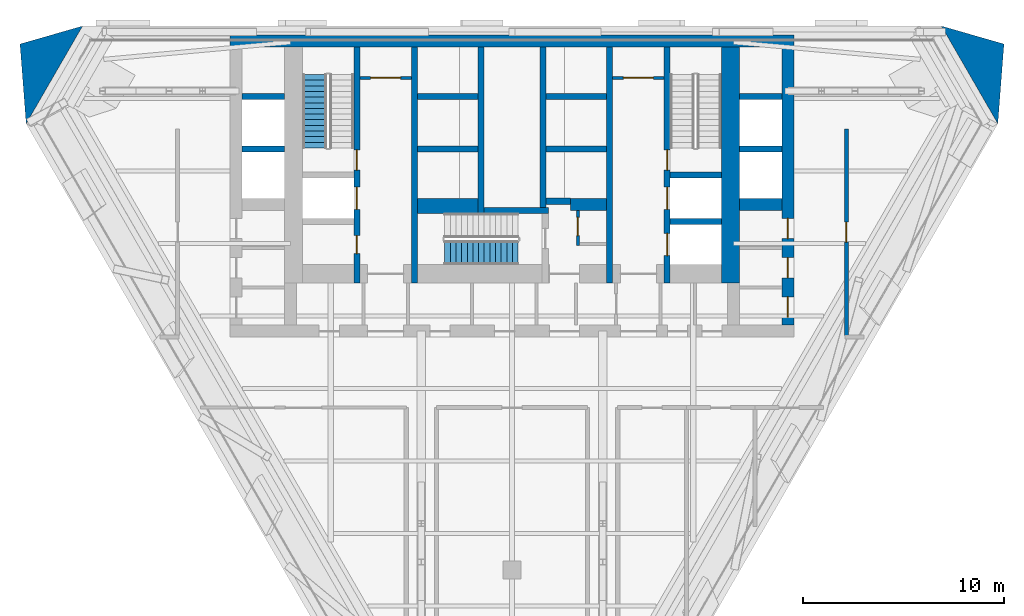
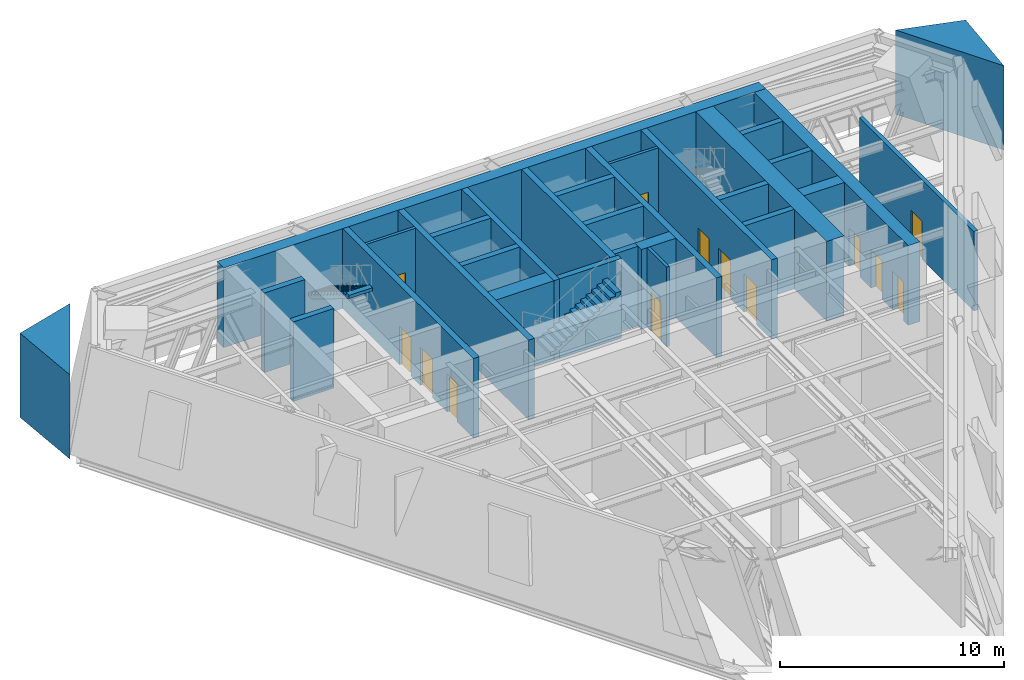
# One storey, part 5 of 12: 30 walls, 13 doors, 2 stair flights, 13 openings, 2 elements without a shape of their own.
"""IFC4 building model written with IfcOpenShell, lengths in metres."""

from ifc_helpers import new_model, si_unit, direction, frame, frame_2d, origin, place, context, subcontext, project, spatial, polyline, rectangle, outline, extrude, material, layer, layer_set, type_object, element, fill, aggregate, save


model = new_model("IFC4")

# Units and contexts
model_context = context("Model", 3, precision=1e-05, world=origin(), true_north=direction((0.0, 1.0)))
body_context = subcontext(model_context, "Body", "Model", "MODEL_VIEW")
ifc_project = project(units=[si_unit("LENGTHUNIT", "METRE"), si_unit("AREAUNIT", "SQUARE_METRE"), si_unit("VOLUMEUNIT", "CUBIC_METRE"), si_unit("PLANEANGLEUNIT", "RADIAN"), si_unit("MASSUNIT", "GRAM", prefix="KILO")], contexts=[model_context])

# Site, building, storey
site_placement = place(None, origin())
site = spatial("IfcSite", under=ifc_project, at=site_placement, CompositionType="ELEMENT")
building_placement = place(site_placement, origin())
building = spatial("IfcBuilding", under=site, at=building_placement, Name="Aloe Facet Convention Tower", CompositionType="ELEMENT")
storey_placement = place(building_placement, frame((0.0, 0.0, 123.800048828125)))
storey = spatial("IfcBuildingStorey", under=building, at=storey_placement, Name="L31", CompositionType="ELEMENT", Elevation=123.800048828125)

# Wall, opening, door
ifc_material_1 = material(Name="Concrete blockwork partition", Category="masonry")
ifc_layer_1 = layer(ifc_material_1, 0.14990234375)
ifc_layer_set_1 = layer_set([ifc_layer_1], Name="CR-W-PART150")
wall_type_1 = type_object("IfcWallType", Name="CR-W-PART150", PredefinedType="PARTITIONING", material=ifc_layer_set_1)
wall_1_placement = place(storey_placement, frame((72.449951171875, 132.425048828125, 0.0), z_axis=(0.0, 0.0, 1.0), x_axis=(1.0, 0.0, 0.0)))
wall_1 = element("IfcWall", 1, at=wall_1_placement, inside=storey, type_object=wall_type_1, Name="Core partition L31-015", PredefinedType="PARTITIONING", context=body_context, shape_type="SweptSolid", body=[
    extrude(rectangle(XDim=2.550048828125, YDim=0.14990234375, at=frame_2d((1.27490234375, 0.0))), origin(), (0.0, 0.0, 1.0), 4.349853515625),
])
opening_1_placement = place(wall_1_placement, frame((0.52490234375, 0.0, 0.0)))
opening_1 = element("IfcOpeningElement", 2, at=opening_1_placement, cuts=wall_1, Name="Opening L31-CD14", PredefinedType="OPENING", context=body_context, shape_type="SweptSolid", body=[
    extrude(rectangle(XDim=1.5, YDim=2.10009765625, at=frame_2d((0.75, 1.050048828125))), frame((0.0, 0.0849609375, 0.0), z_axis=(0.0, -1.0, 0.0), x_axis=(1.0, 0.0, 0.0)), (0.0, 0.0, 1.0), 0.169921875),
])
ifc_material_2 = material(Name="Steel fire-resisting door set FD60", Category="steel")
door_type_1 = type_object("IfcDoorType", Name="CR-D-REFUGE-1500-FD60-DD", OperationType="DOUBLE_DOOR_DOUBLE_SWING", PredefinedType="DOOR", material=ifc_material_2)
door_1_placement = place(opening_1_placement, origin())
door_1 = element("IfcDoor", 3, at=door_1_placement, inside=storey, type_object=door_type_1, Name="Core door L31-CD14", OperationType="DOUBLE_DOOR_DOUBLE_SWING", OverallHeight=2.10009765625, OverallWidth=1.5, PredefinedType="DOOR", context=body_context, shape_type="SweptSolid", body=[
    extrude(rectangle(XDim=1.5, YDim=2.10009765625, at=frame_2d((0.75, 1.050048828125))), frame((0.0, 0.02490234375, 0.0), z_axis=(0.0, -1.0, 0.0), x_axis=(1.0, 0.0, 0.0)), (0.0, 0.0, 1.0), 0.050048828125),
])
fill(opening_1, door_1)

wall_2_placement = place(storey_placement, frame((83.27490234375, 125.85009765625, 0.0), z_axis=(0.0, 0.0, 1.0), x_axis=(0.0, -1.0, 0.0)))
wall_2 = element("IfcWall", 4, at=wall_2_placement, inside=storey, type_object=wall_type_1, Name="Core partition L31-036", PredefinedType="PARTITIONING", context=body_context, shape_type="SweptSolid", body=[
    extrude(rectangle(XDim=1.75, YDim=0.14990234375, at=frame_2d((0.875, 0.0))), origin(), (0.0, 0.0, 1.0), 4.349853515625),
])
opening_2_placement = place(wall_2_placement, frame((0.35009765625, 0.0, 0.0)))
opening_2 = element("IfcOpeningElement", 5, at=opening_2_placement, cuts=wall_2, Name="Opening L31-CD12", PredefinedType="OPENING", context=body_context, shape_type="SweptSolid", body=[
    extrude(rectangle(XDim=0.89990234375, YDim=2.10009765625, at=frame_2d((0.449951171875, 1.050048828125))), frame((0.0, 0.0849609375, 0.0), z_axis=(0.0, -1.0, 0.0), x_axis=(1.0, 0.0, 0.0)), (0.0, 0.0, 1.0), 0.169921875),
])
ifc_material_3 = material(Name="Steel fire-resisting door set FD60", Category="steel")
door_type_2 = type_object("IfcDoorType", Name="CR-D-REFUGE-900-FD60-SRIGHT", OperationType="SINGLE_SWING_RIGHT", PredefinedType="DOOR", material=ifc_material_3)
door_2_placement = place(opening_2_placement, origin())
door_2 = element("IfcDoor", 6, at=door_2_placement, inside=storey, type_object=door_type_2, Name="Core door L31-CD12", OperationType="SINGLE_SWING_RIGHT", OverallHeight=2.10009765625, OverallWidth=0.89990234375, PredefinedType="DOOR", context=body_context, shape_type="SweptSolid", body=[
    extrude(rectangle(XDim=0.89990234375, YDim=2.10009765625, at=frame_2d((0.449951171875, 1.050048828125))), frame((0.0, 0.02490234375, 0.0), z_axis=(0.0, -1.0, 0.0), x_axis=(1.0, 0.0, 0.0)), (0.0, 0.0, 1.0), 0.050048828125),
])
fill(opening_2, door_2)

wall_3_placement = place(storey_placement, frame((85.0, 132.425048828125, 0.0), z_axis=(0.0, 0.0, 1.0), x_axis=(1.0, 0.0, 0.0)))
wall_3 = element("IfcWall", 7, at=wall_3_placement, inside=storey, type_object=wall_type_1, Name="Core partition L31-039", PredefinedType="PARTITIONING", context=body_context, shape_type="SweptSolid", body=[
    extrude(rectangle(XDim=2.550048828125, YDim=0.14990234375, at=frame_2d((1.27490234375, 0.0))), origin(), (0.0, 0.0, 1.0), 4.349853515625),
])
opening_3_placement = place(wall_3_placement, frame((0.52490234375, 0.0, 0.0)))
opening_3 = element("IfcOpeningElement", 8, at=opening_3_placement, cuts=wall_3, Name="Opening L31-CD13", PredefinedType="OPENING", context=body_context, shape_type="SweptSolid", body=[
    extrude(rectangle(XDim=1.5, YDim=2.10009765625, at=frame_2d((0.75, 1.050048828125))), frame((0.0, 0.0849609375, 0.0), z_axis=(0.0, -1.0, 0.0), x_axis=(1.0, 0.0, 0.0)), (0.0, 0.0, 1.0), 0.169921875),
])
door_3_placement = place(opening_3_placement, origin())
door_3 = element("IfcDoor", 9, at=door_3_placement, inside=storey, type_object=door_type_1, Name="Core door L31-CD13", OperationType="DOUBLE_DOOR_DOUBLE_SWING", OverallHeight=2.10009765625, OverallWidth=1.5, PredefinedType="DOOR", context=body_context, shape_type="SweptSolid", body=[
    extrude(rectangle(XDim=1.5, YDim=2.10009765625, at=frame_2d((0.75, 1.050048828125))), frame((0.0, 0.02490234375, 0.0), z_axis=(0.0, -1.0, 0.0), x_axis=(1.0, 0.0, 0.0)), (0.0, 0.0, 1.0), 0.050048828125),
])
fill(opening_3, door_3)

# Walls
ifc_material_4 = material(Name="Concrete C70/85", Category="concrete")
ifc_layer_2 = layer(ifc_material_4, 0.300048828125)
ifc_layer_set_2 = layer_set([ifc_layer_2], Name="CR-W-RC300-C7085")
wall_type_2 = type_object("IfcWallType", Name="CR-W-RC300-C7085", PredefinedType="SOLIDWALL", material=ifc_layer_set_2)
for number, where, z_axis, x_axis, name in (
    (10, (66.60009765625, 131.5, 0.0), (0.0, 0.0, 1.0), (1.0, 0.0, 0.0), "Core wall L31-004"),
    (11, (66.60009765625, 128.89990234375, 0.0), (0.0, 0.0, 1.0), (1.0, 0.0, 0.0), "Core wall L31-005"),
):
    element("IfcWall", number, at=place(storey_placement, frame(where, z_axis=z_axis, x_axis=x_axis)), inside=storey, type_object=wall_type_2, Name=name, PredefinedType="SOLIDWALL", context=body_context, shape_type="SweptSolid", body=[
        extrude(rectangle(XDim=2.099853515625, YDim=0.300048828125, at=frame_2d((1.0498046875, 0.0))), origin(), (0.0, 0.0, 1.0), 4.349853515625),
    ])

# Wall, openings, doors
wall_4_placement = place(storey_placement, frame((72.300048828125, 133.949951171875, 0.0), z_axis=(0.0, 0.0, 1.0), x_axis=(0.0, -1.0, 0.0)))
wall_4 = element("IfcWall", 12, at=wall_4_placement, inside=storey, type_object=wall_type_2, Name="Core wall L31-014", PredefinedType="SOLIDWALL", context=body_context, shape_type="SweptSolid", body=[
    extrude(rectangle(XDim=11.699951171875, YDim=0.300048828125, at=frame_2d((5.85009765625, 0.0))), origin(), (0.0, 0.0, 1.0), 4.349853515625),
])
opening_4_placement = place(wall_4_placement, frame((6.949951171875, 0.0, 0.0)))
opening_4 = element("IfcOpeningElement", 13, at=opening_4_placement, cuts=wall_4, Name="Opening LD-FF1-L31", PredefinedType="OPENING", context=body_context, shape_type="SweptSolid", body=[
    extrude(rectangle(XDim=1.10009765625, YDim=2.10009765625, at=frame_2d((0.550048828125, 1.050048828125))), frame((0.0, 0.16015625, 0.0), z_axis=(0.0, -1.0, 0.0), x_axis=(1.0, 0.0, 0.0)), (0.0, 0.0, 1.0), 0.320068359375),
])
opening_5_placement = place(wall_4_placement, frame((9.35009765625, 0.0, 0.0)))
opening_5 = element("IfcOpeningElement", 14, at=opening_5_placement, cuts=wall_4, Name="Opening L31-CD15", PredefinedType="OPENING", context=body_context, shape_type="SweptSolid", body=[
    extrude(rectangle(XDim=0.89990234375, YDim=2.10009765625, at=frame_2d((0.449951171875, 1.050048828125))), frame((0.0, 0.16015625, 0.0), z_axis=(0.0, -1.0, 0.0), x_axis=(1.0, 0.0, 0.0)), (0.0, 0.0, 1.0), 0.320068359375),
])
opening_6_placement = place(wall_4_placement, frame((5.10009765625, 0.0, 0.0)))
opening_6 = element("IfcOpeningElement", 15, at=opening_6_placement, cuts=wall_4, Name="Opening L31-CD22", PredefinedType="OPENING", context=body_context, shape_type="SweptSolid", body=[
    extrude(rectangle(XDim=1.0, YDim=2.10009765625, at=frame_2d((0.5, 1.050048828125))), frame((0.0, 0.16015625, 0.0), z_axis=(0.0, -1.0, 0.0), x_axis=(1.0, 0.0, 0.0)), (0.0, 0.0, 1.0), 0.320068359375),
])
ifc_material_5 = material(Name="Steel fire-resisting door set FD60", Category="steel")
door_type_3 = type_object("IfcDoorType", Name="CR-D-ROOM-900-FD60-SLEFT", OperationType="SINGLE_SWING_LEFT", PredefinedType="DOOR", material=ifc_material_5)
door_4_placement = place(opening_5_placement, origin())
door_4 = element("IfcDoor", 16, at=door_4_placement, inside=storey, type_object=door_type_3, Name="Core door L31-CD15", OperationType="SINGLE_SWING_LEFT", OverallHeight=2.10009765625, OverallWidth=0.89990234375, PredefinedType="DOOR", context=body_context, shape_type="SweptSolid", body=[
    extrude(rectangle(XDim=0.89990234375, YDim=2.10009765625, at=frame_2d((0.449951171875, 1.050048828125))), frame((0.0, 0.02490234375, 0.0), z_axis=(0.0, -1.0, 0.0), x_axis=(1.0, 0.0, 0.0)), (0.0, 0.0, 1.0), 0.050048828125),
])
fill(opening_5, door_4)
ifc_material_6 = material(Name="Steel fire-resisting door set FD120", Category="steel")
door_type_4 = type_object("IfcDoorType", Name="CR-D-STAIR-1000-FD120-SRIGHT", OperationType="SINGLE_SWING_RIGHT", PredefinedType="DOOR", material=ifc_material_6)
door_5_placement = place(opening_6_placement, origin())
door_5 = element("IfcDoor", 17, at=door_5_placement, inside=storey, type_object=door_type_4, Name="Core door L31-CD22", OperationType="SINGLE_SWING_RIGHT", OverallHeight=2.10009765625, OverallWidth=1.0, PredefinedType="DOOR", context=body_context, shape_type="SweptSolid", body=[
    extrude(rectangle(XDim=1.0, YDim=2.10009765625, at=frame_2d((0.5, 1.050048828125))), frame((0.0, 0.02490234375, 0.0), z_axis=(0.0, -1.0, 0.0), x_axis=(1.0, 0.0, 0.0)), (0.0, 0.0, 1.0), 0.050048828125),
])
fill(opening_6, door_5)
ifc_material_7 = material(Name="Stainless steel sliding landing door", Category="steel")
door_type_5 = type_object("IfcDoorType", Name="CR-LD-1100-FD120-_LEFT", OperationType="SLIDING_TO_LEFT", PredefinedType="DOOR", material=ifc_material_7)
door_6_placement = place(opening_4_placement, origin())
door_6 = element("IfcDoor", 18, at=door_6_placement, inside=storey, type_object=door_type_5, Name="Landing door FF1 L31", OperationType="SLIDING_TO_LEFT", OverallHeight=2.10009765625, OverallWidth=1.10009765625, PredefinedType="DOOR", context=body_context, shape_type="SweptSolid", body=[
    extrude(rectangle(XDim=1.10009765625, YDim=2.10009765625, at=frame_2d((0.550048828125, 1.050048828125))), frame((0.0, 0.02490234375, 0.0), z_axis=(0.0, -1.0, 0.0), x_axis=(1.0, 0.0, 0.0)), (0.0, 0.0, 1.0), 0.050048828125),
])
fill(opening_4, door_6)

# Walls
wall_5_placement = place(storey_placement, frame((75.14990234375, 133.949951171875, 0.0), z_axis=(0.0, 0.0, 1.0), x_axis=(0.0, -1.0, 0.0)))
element("IfcWall", 19, at=wall_5_placement, inside=storey, type_object=wall_type_2, Name="Core wall L31-019", PredefinedType="SOLIDWALL", context=body_context, shape_type="SweptSolid", body=[
    extrude(rectangle(XDim=11.699951171875, YDim=0.300048828125, at=frame_2d((5.85009765625, 0.0))), origin(), (0.0, 0.0, 1.0), 4.349853515625),
])
for number, where, z_axis, x_axis, name in (
    (20, (75.300048828125, 131.5, 0.0), (0.0, 0.0, 1.0), (1.0, 0.0, 0.0), "Core wall L31-020"),
    (21, (75.300048828125, 128.89990234375, 0.0), (0.0, 0.0, 1.0), (1.0, 0.0, 0.0), "Core wall L31-021"),
):
    element("IfcWall", number, at=place(storey_placement, frame(where, z_axis=z_axis, x_axis=x_axis)), inside=storey, type_object=wall_type_2, Name=name, PredefinedType="SOLIDWALL", context=body_context, shape_type="SweptSolid", body=[
        extrude(rectangle(XDim=3.0, YDim=0.300048828125, at=frame_2d((1.5, 0.0))), origin(), (0.0, 0.0, 1.0), 4.349853515625),
    ])
wall_6_placement = place(storey_placement, frame((78.449951171875, 133.949951171875, 0.0), z_axis=(0.0, 0.0, 1.0), x_axis=(0.0, -1.0, 0.0)))
element("IfcWall", 22, at=wall_6_placement, inside=storey, type_object=wall_type_2, Name="Core wall L31-025", PredefinedType="SOLIDWALL", context=body_context, shape_type="SweptSolid", body=[
    extrude(rectangle(XDim=8.25, YDim=0.300048828125, at=frame_2d((4.125, 0.0))), origin(), (0.0, 0.0, 1.0), 4.349853515625),
])
wall_7_placement = place(storey_placement, frame((78.60009765625, 125.85009765625, 0.0), z_axis=(0.0, 0.0, 1.0), x_axis=(1.0, 0.0, 0.0)))
element("IfcWall", 23, at=wall_7_placement, inside=storey, type_object=wall_type_2, Name="Core wall L31-026", PredefinedType="SOLIDWALL", context=body_context, shape_type="SweptSolid", body=[
    extrude(rectangle(XDim=3.199951171875, YDim=0.300048828125, at=frame_2d((1.60009765625, 0.0))), origin(), (0.0, 0.0, 1.0), 4.349853515625),
])
wall_8_placement = place(storey_placement, frame((81.550048828125, 133.949951171875, 0.0), z_axis=(0.0, 0.0, 1.0), x_axis=(0.0, -1.0, 0.0)))
element("IfcWall", 24, at=wall_8_placement, inside=storey, type_object=wall_type_2, Name="Core wall L31-028", PredefinedType="SOLIDWALL", context=body_context, shape_type="SweptSolid", body=[
    extrude(rectangle(XDim=7.949951171875, YDim=0.300048828125, at=frame_2d((3.97509765625, 0.0))), origin(), (0.0, 0.0, 1.0), 4.349853515625),
])
for number, where, z_axis, x_axis, name in (
    (25, (81.699951171875, 131.5, 0.0), (0.0, 0.0, 1.0), (1.0, 0.0, 0.0), "Core wall L31-030"),
    (26, (81.699951171875, 128.89990234375, 0.0), (0.0, 0.0, 1.0), (1.0, 0.0, 0.0), "Core wall L31-031"),
):
    element("IfcWall", number, at=place(storey_placement, frame(where, z_axis=z_axis, x_axis=x_axis)), inside=storey, type_object=wall_type_2, Name=name, PredefinedType="SOLIDWALL", context=body_context, shape_type="SweptSolid", body=[
        extrude(rectangle(XDim=3.0, YDim=0.300048828125, at=frame_2d((1.5, 0.0))), origin(), (0.0, 0.0, 1.0), 4.349853515625),
    ])
wall_9_placement = place(storey_placement, frame((81.699951171875, 126.300048828125, 0.0), z_axis=(0.0, 0.0, 1.0), x_axis=(1.0, 0.0, 0.0)))
element("IfcWall", 27, at=wall_9_placement, inside=storey, type_object=wall_type_2, Name="Core wall L31-032", PredefinedType="SOLIDWALL", context=body_context, shape_type="SweptSolid", body=[
    extrude(rectangle(XDim=1.199951171875, YDim=0.300048828125, at=frame_2d((0.60009765625, 0.0))), origin(), (0.0, 0.0, 1.0), 4.349853515625),
])
wall_10_placement = place(storey_placement, frame((84.85009765625, 133.949951171875, 0.0), z_axis=(0.0, 0.0, 1.0), x_axis=(0.0, -1.0, 0.0)))
element("IfcWall", 28, at=wall_10_placement, inside=storey, type_object=wall_type_2, Name="Core wall L31-038", PredefinedType="SOLIDWALL", context=body_context, shape_type="SweptSolid", body=[
    extrude(rectangle(XDim=11.699951171875, YDim=0.300048828125, at=frame_2d((5.85009765625, 0.0))), origin(), (0.0, 0.0, 1.0), 4.349853515625),
])

# Wall, openings, doors
wall_11_placement = place(storey_placement, frame((87.699951171875, 133.949951171875, 0.0), z_axis=(0.0, 0.0, 1.0), x_axis=(0.0, -1.0, 0.0)))
wall_11 = element("IfcWall", 29, at=wall_11_placement, inside=storey, type_object=wall_type_2, Name="Core wall L31-043", PredefinedType="SOLIDWALL", context=body_context, shape_type="SweptSolid", body=[
    extrude(rectangle(XDim=11.699951171875, YDim=0.300048828125, at=frame_2d((5.85009765625, 0.0))), origin(), (0.0, 0.0, 1.0), 4.349853515625),
])
opening_7_placement = place(wall_11_placement, frame((6.949951171875, 0.0, 0.0)))
opening_7 = element("IfcOpeningElement", 30, at=opening_7_placement, cuts=wall_11, Name="Opening LD-FF2-L31", PredefinedType="OPENING", context=body_context, shape_type="SweptSolid", body=[
    extrude(rectangle(XDim=1.10009765625, YDim=2.10009765625, at=frame_2d((0.550048828125, 1.050048828125))), frame((0.0, 0.16015625, 0.0), z_axis=(0.0, -1.0, 0.0), x_axis=(1.0, 0.0, 0.0)), (0.0, 0.0, 1.0), 0.320068359375),
])
opening_8_placement = place(wall_11_placement, frame((5.10009765625, 0.0, 0.0)))
opening_8 = element("IfcOpeningElement", 31, at=opening_8_placement, cuts=wall_11, Name="Opening L31-CD23", PredefinedType="OPENING", context=body_context, shape_type="SweptSolid", body=[
    extrude(rectangle(XDim=1.0, YDim=2.10009765625, at=frame_2d((0.5, 1.050048828125))), frame((0.0, 0.16015625, 0.0), z_axis=(0.0, -1.0, 0.0), x_axis=(1.0, 0.0, 0.0)), (0.0, 0.0, 1.0), 0.320068359375),
])
opening_9_placement = place(wall_11_placement, frame((9.25, 0.0, 0.0)))
opening_9 = element("IfcOpeningElement", 32, at=opening_9_placement, cuts=wall_11, Name="Opening LD-SV1-L31", PredefinedType="OPENING", context=body_context, shape_type="SweptSolid", body=[
    extrude(rectangle(XDim=1.10009765625, YDim=2.10009765625, at=frame_2d((0.550048828125, 1.050048828125))), frame((0.0, 0.16015625, 0.0), z_axis=(0.0, -1.0, 0.0), x_axis=(1.0, 0.0, 0.0)), (0.0, 0.0, 1.0), 0.320068359375),
])
ifc_material_8 = material(Name="Steel fire-resisting door set FD120", Category="steel")
door_type_6 = type_object("IfcDoorType", Name="CR-D-STAIR-1000-FD120-SLEFT", OperationType="SINGLE_SWING_LEFT", PredefinedType="DOOR", material=ifc_material_8)
door_7_placement = place(opening_8_placement, origin())
door_7 = element("IfcDoor", 33, at=door_7_placement, inside=storey, type_object=door_type_6, Name="Core door L31-CD23", OperationType="SINGLE_SWING_LEFT", OverallHeight=2.10009765625, OverallWidth=1.0, PredefinedType="DOOR", context=body_context, shape_type="SweptSolid", body=[
    extrude(rectangle(XDim=1.0, YDim=2.10009765625, at=frame_2d((0.5, 1.050048828125))), frame((0.0, 0.02490234375, 0.0), z_axis=(0.0, -1.0, 0.0), x_axis=(1.0, 0.0, 0.0)), (0.0, 0.0, 1.0), 0.050048828125),
])
fill(opening_8, door_7)
door_8_placement = place(opening_7_placement, origin())
door_8 = element("IfcDoor", 34, at=door_8_placement, inside=storey, type_object=door_type_5, Name="Landing door FF2 L31", OperationType="SLIDING_TO_LEFT", OverallHeight=2.10009765625, OverallWidth=1.10009765625, PredefinedType="DOOR", context=body_context, shape_type="SweptSolid", body=[
    extrude(rectangle(XDim=1.10009765625, YDim=2.10009765625, at=frame_2d((0.550048828125, 1.050048828125))), frame((0.0, 0.02490234375, 0.0), z_axis=(0.0, -1.0, 0.0), x_axis=(1.0, 0.0, 0.0)), (0.0, 0.0, 1.0), 0.050048828125),
])
fill(opening_7, door_8)
door_9_placement = place(opening_9_placement, origin())
door_9 = element("IfcDoor", 35, at=door_9_placement, inside=storey, type_object=door_type_5, Name="Landing door SV1 L31", OperationType="SLIDING_TO_LEFT", OverallHeight=2.10009765625, OverallWidth=1.10009765625, PredefinedType="DOOR", context=body_context, shape_type="SweptSolid", body=[
    extrude(rectangle(XDim=1.10009765625, YDim=2.10009765625, at=frame_2d((0.550048828125, 1.050048828125))), frame((0.0, 0.02490234375, 0.0), z_axis=(0.0, -1.0, 0.0), x_axis=(1.0, 0.0, 0.0)), (0.0, 0.0, 1.0), 0.050048828125),
])
fill(opening_9, door_9)

# Walls
for number, where, z_axis, x_axis, name in (
    (36, (87.85009765625, 127.60009765625, 0.0), (0.0, 0.0, 1.0), (1.0, 0.0, 0.0), "Core wall L31-044"),
    (37, (87.85009765625, 125.300048828125, 0.0), (0.0, 0.0, 1.0), (1.0, 0.0, 0.0), "Core wall L31-045"),
):
    element("IfcWall", number, at=place(storey_placement, frame(where, z_axis=z_axis, x_axis=x_axis)), inside=storey, type_object=wall_type_2, Name=name, PredefinedType="SOLIDWALL", context=body_context, shape_type="SweptSolid", body=[
        extrude(rectangle(XDim=2.5498046875, YDim=0.300048828125, at=frame_2d((1.27490234375, 0.0))), origin(), (0.0, 0.0, 1.0), 4.349853515625),
    ])
for number, where, z_axis, x_axis, name in (
    (38, (91.300048828125, 131.5, 0.0), (0.0, 0.0, 1.0), (1.0, 0.0, 0.0), "Core wall L31-050"),
    (39, (91.300048828125, 128.89990234375, 0.0), (0.0, 0.0, 1.0), (1.0, 0.0, 0.0), "Core wall L31-051"),
):
    element("IfcWall", number, at=place(storey_placement, frame(where, z_axis=z_axis, x_axis=x_axis)), inside=storey, type_object=wall_type_2, Name=name, PredefinedType="SOLIDWALL", context=body_context, shape_type="SweptSolid", body=[
        extrude(rectangle(XDim=2.099853515625, YDim=0.300048828125, at=frame_2d((1.0498046875, 0.0))), origin(), (0.0, 0.0, 1.0), 4.349853515625),
    ])
ifc_material_9 = material(Name="Concrete C70/85", Category="concrete")
ifc_layer_3 = layer(ifc_material_9, 0.60009765625)
ifc_layer_set_3 = layer_set([ifc_layer_3], Name="CR-W-RC600-C7085")
wall_type_3 = type_object("IfcWallType", Name="CR-W-RC600-C7085", PredefinedType="SOLIDWALL", material=ifc_layer_set_3)
wall_12_placement = place(storey_placement, frame((66.0, 134.25, 0.0), z_axis=(0.0, 0.0, 1.0), x_axis=(1.0, 0.0, 0.0)))
element("IfcWall", 40, at=wall_12_placement, inside=storey, type_object=wall_type_3, Name="Core wall L31-001", PredefinedType="SOLIDWALL", context=body_context, shape_type="SweptSolid", body=[
    extrude(rectangle(XDim=28.0, YDim=0.60009765625, at=frame_2d((14.0, 0.0))), origin(), (0.0, 0.0, 1.0), 4.349853515625),
])
wall_13_placement = place(storey_placement, frame((82.89990234375, 126.14990234375, 0.0), z_axis=(0.0, 0.0, 1.0), x_axis=(1.0, 0.0, 0.0)))
element("IfcWall", 41, at=wall_13_placement, inside=storey, type_object=wall_type_3, Name="Core wall L31-034", PredefinedType="SOLIDWALL", context=body_context, shape_type="SweptSolid", body=[
    extrude(rectangle(XDim=1.800048828125, YDim=0.60009765625, at=frame_2d((0.89990234375, 0.0))), origin(), (0.0, 0.0, 1.0), 4.349853515625),
])
wall_14_placement = place(storey_placement, frame((91.300048828125, 126.14990234375, 0.0), z_axis=(0.0, 0.0, 1.0), x_axis=(1.0, 0.0, 0.0)))
element("IfcWall", 42, at=wall_14_placement, inside=storey, type_object=wall_type_3, Name="Core wall L31-052", PredefinedType="SOLIDWALL", context=body_context, shape_type="SweptSolid", body=[
    extrude(rectangle(XDim=2.099853515625, YDim=0.60009765625, at=frame_2d((1.0498046875, 0.0))), origin(), (0.0, 0.0, 1.0), 4.349853515625),
])

# Wall, openings, doors
wall_15_placement = place(storey_placement, frame((93.699951171875, 133.949951171875, 0.0), z_axis=(0.0, 0.0, 1.0), x_axis=(0.0, -1.0, 0.0)))
wall_15 = element("IfcWall", 43, at=wall_15_placement, inside=storey, type_object=wall_type_3, Name="Core wall L31-055", PredefinedType="SOLIDWALL", context=body_context, shape_type="SweptSolid", body=[
    extrude(rectangle(XDim=13.800048828125, YDim=0.60009765625, at=frame_2d((6.89990234375, 0.0))), origin(), (0.0, 0.0, 1.0), 4.349853515625),
])
opening_10_placement = place(wall_15_placement, frame((12.39990234375, 0.0, 0.0)))
opening_10 = element("IfcOpeningElement", 44, at=opening_10_placement, cuts=wall_15, Name="Opening L31-CD01", PredefinedType="OPENING", context=body_context, shape_type="SweptSolid", body=[
    extrude(rectangle(XDim=1.0, YDim=2.10009765625, at=frame_2d((0.5, 1.050048828125))), frame((0.0, 0.31005859375, 0.0), z_axis=(0.0, -1.0, 0.0), x_axis=(1.0, 0.0, 0.0)), (0.0, 0.0, 1.0), 0.6201171875),
])
opening_11_placement = place(wall_15_placement, frame((8.5, 0.0, 0.0)))
opening_11 = element("IfcOpeningElement", 45, at=opening_11_placement, cuts=wall_15, Name="Opening L31-CD02", PredefinedType="OPENING", context=body_context, shape_type="SweptSolid", body=[
    extrude(rectangle(XDim=1.0, YDim=2.10009765625, at=frame_2d((0.5, 1.050048828125))), frame((0.0, 0.31005859375, 0.0), z_axis=(0.0, -1.0, 0.0), x_axis=(1.0, 0.0, 0.0)), (0.0, 0.0, 1.0), 0.6201171875),
])
opening_12_placement = place(wall_15_placement, frame((10.449951171875, 0.0, 0.0)))
opening_12 = element("IfcOpeningElement", 46, at=opening_12_placement, cuts=wall_15, Name="Opening L31-CD03", PredefinedType="OPENING", context=body_context, shape_type="SweptSolid", body=[
    extrude(rectangle(XDim=1.0, YDim=2.10009765625, at=frame_2d((0.5, 1.050048828125))), frame((0.0, 0.31005859375, 0.0), z_axis=(0.0, -1.0, 0.0), x_axis=(1.0, 0.0, 0.0)), (0.0, 0.0, 1.0), 0.6201171875),
])
ifc_material_10 = material(Name="Steel fire-resisting door set FD60", Category="steel")
door_type_7 = type_object("IfcDoorType", Name="CR-D-ROOM-1000-FD60-SLEFT", OperationType="SINGLE_SWING_LEFT", PredefinedType="DOOR", material=ifc_material_10)
door_10_placement = place(opening_10_placement, origin())
door_10 = element("IfcDoor", 47, at=door_10_placement, inside=storey, type_object=door_type_7, Name="Core door L31-CD01", OperationType="SINGLE_SWING_LEFT", OverallHeight=2.10009765625, OverallWidth=1.0, PredefinedType="DOOR", context=body_context, shape_type="SweptSolid", body=[
    extrude(rectangle(XDim=1.0, YDim=2.10009765625, at=frame_2d((0.5, 1.050048828125))), frame((0.0, 0.02490234375, 0.0), z_axis=(0.0, -1.0, 0.0), x_axis=(1.0, 0.0, 0.0)), (0.0, 0.0, 1.0), 0.050048828125),
])
fill(opening_10, door_10)
door_11_placement = place(opening_11_placement, origin())
door_11 = element("IfcDoor", 48, at=door_11_placement, inside=storey, type_object=door_type_7, Name="Core door L31-CD02", OperationType="SINGLE_SWING_LEFT", OverallHeight=2.10009765625, OverallWidth=1.0, PredefinedType="DOOR", context=body_context, shape_type="SweptSolid", body=[
    extrude(rectangle(XDim=1.0, YDim=2.10009765625, at=frame_2d((0.5, 1.050048828125))), frame((0.0, 0.02490234375, 0.0), z_axis=(0.0, -1.0, 0.0), x_axis=(1.0, 0.0, 0.0)), (0.0, 0.0, 1.0), 0.050048828125),
])
fill(opening_11, door_11)
door_12_placement = place(opening_12_placement, origin())
door_12 = element("IfcDoor", 49, at=door_12_placement, inside=storey, type_object=door_type_7, Name="Core door L31-CD03", OperationType="SINGLE_SWING_LEFT", OverallHeight=2.10009765625, OverallWidth=1.0, PredefinedType="DOOR", context=body_context, shape_type="SweptSolid", body=[
    extrude(rectangle(XDim=1.0, YDim=2.10009765625, at=frame_2d((0.5, 1.050048828125))), frame((0.0, 0.02490234375, 0.0), z_axis=(0.0, -1.0, 0.0), x_axis=(1.0, 0.0, 0.0)), (0.0, 0.0, 1.0), 0.050048828125),
])
fill(opening_12, door_12)

# Walls
ifc_material_11 = material(Name="Concrete C70/85", Category="concrete")
ifc_layer_4 = layer(ifc_material_11, 0.75)
ifc_layer_set_4 = layer_set([ifc_layer_4], Name="CR-W-RC750-C7085")
wall_type_4 = type_object("IfcWallType", Name="CR-W-RC750-C7085", PredefinedType="SOLIDWALL", material=ifc_layer_set_4)
wall_16_placement = place(storey_placement, frame((75.300048828125, 126.074951171875, 0.0), z_axis=(0.0, 0.0, 1.0), x_axis=(1.0, 0.0, 0.0)))
element("IfcWall", 50, at=wall_16_placement, inside=storey, type_object=wall_type_4, Name="Core wall L31-022", PredefinedType="SOLIDWALL", context=body_context, shape_type="SweptSolid", body=[
    extrude(rectangle(XDim=3.0, YDim=0.75, at=frame_2d((1.5, 0.0))), origin(), (0.0, 0.0, 1.0), 4.349853515625),
])
ifc_material_12 = material(Name="Concrete C70/85", Category="concrete")
ifc_layer_5 = layer(ifc_material_12, 0.89990234375)
ifc_layer_set_5 = layer_set([ifc_layer_5], Name="CR-W-RC900-C7085")
wall_type_5 = type_object("IfcWallType", Name="CR-W-RC900-C7085", PredefinedType="SOLIDWALL", material=ifc_layer_set_5)
wall_17_placement = place(storey_placement, frame((90.85009765625, 133.949951171875, 0.0), z_axis=(0.0, 0.0, 1.0), x_axis=(0.0, -1.0, 0.0)))
element("IfcWall", 51, at=wall_17_placement, inside=storey, type_object=wall_type_5, Name="Core wall L31-048", PredefinedType="SOLIDWALL", context=body_context, shape_type="SweptSolid", body=[
    extrude(rectangle(XDim=11.699951171875, YDim=0.89990234375, at=frame_2d((5.85009765625, 0.0))), origin(), (0.0, 0.0, 1.0), 4.349853515625),
])
ifc_material_13 = material(Name="Precast concrete C40/50", Category="concrete")
ifc_layer_6 = layer(ifc_material_13, 3.947998046875)
ifc_layer_set_6 = layer_set([ifc_layer_6], Name="EV-WALL-SPINE")
wall_type_6 = type_object("IfcWallType", Name="EV-WALL-SPINE", PredefinedType="SOLIDWALL", material=ifc_layer_set_6)
wall_18_placement = place(storey_placement, frame((0.0, 0.0, -0.25)))
element("IfcWall", 52, at=wall_18_placement, inside=storey, type_object=wall_type_6, Name="SP-NW-L31", PredefinedType="SOLIDWALL", context=body_context, shape_type="SweptSolid", body=[
    extrude(outline(polyline([(58.678466796875, 135.0), (55.572509765625, 134.107666015625), (55.87841796875, 130.150146484375), (58.678466796875, 135.0)])), origin(), (0.0, 0.0, 1.0), 4.599853515625),
])
wall_19_placement = place(storey_placement, frame((0.0, 0.0, -0.25)))
element("IfcWall", 53, at=wall_19_placement, inside=storey, type_object=wall_type_6, Name="SP-NE-L31", PredefinedType="SOLIDWALL", context=body_context, shape_type="SweptSolid", body=[
    extrude(outline(polyline([(104.12158203125, 130.150146484375), (104.427490234375, 134.107666015625), (101.321533203125, 135.0), (104.12158203125, 130.150146484375)])), origin(), (0.0, 0.0, 1.0), 4.599853515625),
])

# Wall, opening, door
ifc_material_14 = material(Name="Masonry blockwork wall, plastered", Category="masonry")
ifc_layer_7 = layer(ifc_material_14, 0.199951171875)
ifc_layer_set_7 = layer_set([ifc_layer_7], Name="IN-POD-W-PLANT")
wall_type_7 = type_object("IfcWallType", Name="IN-POD-W-PLANT", PredefinedType="PARTITIONING", material=ifc_layer_set_7)
wall_20_placement = place(storey_placement, frame((96.60009765625, 119.635009765625, 0.0), z_axis=(0.0, 0.0, 1.0), x_axis=(0.0, 1.0, 0.0)))
wall_20 = element("IfcWall", 54, at=wall_20_placement, inside=storey, type_object=wall_type_7, Name="Partition L31-W011", PredefinedType="PARTITIONING", context=body_context, shape_type="SweptSolid", body=[
    extrude(rectangle(XDim=10.264892578125, YDim=0.199951171875, at=frame_2d((5.13232421875, 0.0))), origin(), (0.0, 0.0, 1.0), 4.349853515625),
])
opening_13_placement = place(wall_20_placement, frame((4.632568359375, 0.0, 0.0)))
opening_13 = element("IfcOpeningElement", 55, at=opening_13_placement, cuts=wall_20, Name="Opening L31-002", PredefinedType="OPENING", context=body_context, shape_type="SweptSolid", body=[
    extrude(rectangle(XDim=1.0, YDim=2.10009765625, at=frame_2d((0.5, 1.050048828125))), frame((0.0, 0.10986328125, 0.0), z_axis=(0.0, -1.0, 0.0), x_axis=(1.0, 0.0, 0.0)), (0.0, 0.0, 1.0), 0.219970703125),
])
ifc_material_15 = material(Name="Steel flush door, galvanised", Category="steel")
door_type_8 = type_object("IfcDoorType", Name="IN-POD-D-PLANT", OperationType="SINGLE_SWING_LEFT", PredefinedType="DOOR", material=ifc_material_15)
door_13_placement = place(opening_13_placement, origin())
door_13 = element("IfcDoor", 56, at=door_13_placement, inside=storey, type_object=door_type_8, Name="Door L31-002", OperationType="SINGLE_SWING_LEFT", OverallHeight=2.10009765625, OverallWidth=1.0, PredefinedType="DOOR", context=body_context, shape_type="SweptSolid", body=[
    extrude(rectangle(XDim=1.0, YDim=2.10009765625, at=frame_2d((0.5, 1.050048828125))), frame((0.0, 0.02490234375, 0.0), z_axis=(0.0, -1.0, 0.0), x_axis=(1.0, 0.0, 0.0)), (0.0, 0.0, 1.0), 0.050048828125),
])
fill(opening_13, door_13)

# Stair, stair flight
ifc_material_16 = material(Name="Concrete C50/60", Category="concrete")
stair_type = type_object("IfcStairType", Name="CR-ST-28R", PredefinedType="HALF_TURN_STAIR", material=ifc_material_16)
stair_1_placement = place(storey_placement, origin())
stair_1 = element("IfcStair", 57, at=stair_1_placement, inside=storey, type_object=stair_type, Name="L31 Protected exit stair ST1", PredefinedType="HALF_TURN_STAIR")
ifc_material_17 = material(Name="Concrete C50/60", Category="concrete")
stair_flight_type = type_object("IfcStairFlightType", Name="CR-SFL-28R", PredefinedType="STRAIGHT", material=ifc_material_17)
stair_flight_1_placement = place(storey_placement, frame((70.199951171875, 132.590087890625, 2.39990234375), z_axis=(0.0, 0.0, 1.0), x_axis=(0.0, -1.0, 0.0)))
stair_flight_1 = element("IfcStairFlight", 58, at=stair_flight_1_placement, type_object=stair_flight_type, Name="ST1 flight 2", NumberOfRisers=14, NumberOfTreads=13, PredefinedType="STRAIGHT", RiserHeight=0.171428571, TreadLength=0.28, context=body_context, shape_type="SweptSolid", body=[
    extrude(outline(polyline([(0.0, 0.0), (0.0, 0.17138671875), (0.280029296875, 0.17138671875), (0.280029296875, 0.3427734375), (0.56005859375, 0.3427734375), (0.56005859375, 0.514404296875), (0.840087890625, 0.514404296875), (0.840087890625, 0.685791015625), (1.1201171875, 0.685791015625), (1.1201171875, 0.857177734375), (1.39990234375, 0.857177734375), (1.39990234375, 1.028564453125), (1.679931640625, 1.028564453125), (1.679931640625, 1.199951171875), (1.9599609375, 1.199951171875), (1.9599609375, 1.371337890625), (2.239990234375, 1.371337890625), (2.239990234375, 1.54296875), (2.52001953125, 1.54296875), (2.52001953125, 1.71435546875), (2.800048828125, 1.71435546875), (2.800048828125, 1.8857421875), (3.080078125, 1.8857421875), (3.080078125, 2.05712890625), (3.360107421875, 2.05712890625), (3.360107421875, 2.228515625), (3.639892578125, 2.228515625), (3.639892578125, 2.39990234375), (3.639892578125, 2.052734375), (0.287109375, 0.0), (0.0, 0.0)])), frame((0.0, 0.60009765625, 0.0), z_axis=(0.0, -1.0, 0.0), x_axis=(1.0, 0.0, 0.0)), (0.0, 0.0, 1.0), 1.199951171875),
])
aggregate(stair_1, [stair_flight_1])

stair_2_placement = place(storey_placement, origin())
stair_2 = element("IfcStair", 59, at=stair_2_placement, inside=storey, type_object=stair_type, Name="L31 Protected exit stair ST3", PredefinedType="HALF_TURN_STAIR")
stair_flight_2_placement = place(storey_placement, frame((76.659912109375, 123.75, 2.39990234375), z_axis=(0.0, 0.0, 1.0), x_axis=(1.0, 0.0, 0.0)))
stair_flight_2 = element("IfcStairFlight", 60, at=stair_flight_2_placement, type_object=stair_flight_type, Name="ST3 flight 2", NumberOfRisers=14, NumberOfTreads=13, PredefinedType="STRAIGHT", RiserHeight=0.171428571, TreadLength=0.28, context=body_context, shape_type="SweptSolid", body=[
    extrude(outline(polyline([(0.0, 0.0), (0.0, 0.17138671875), (0.280029296875, 0.17138671875), (0.280029296875, 0.3427734375), (0.56005859375, 0.3427734375), (0.56005859375, 0.514404296875), (0.840087890625, 0.514404296875), (0.840087890625, 0.685791015625), (1.1201171875, 0.685791015625), (1.1201171875, 0.857177734375), (1.39990234375, 0.857177734375), (1.39990234375, 1.028564453125), (1.679931640625, 1.028564453125), (1.679931640625, 1.199951171875), (1.9599609375, 1.199951171875), (1.9599609375, 1.371337890625), (2.239990234375, 1.371337890625), (2.239990234375, 1.54296875), (2.52001953125, 1.54296875), (2.52001953125, 1.71435546875), (2.800048828125, 1.71435546875), (2.800048828125, 1.8857421875), (3.080078125, 1.8857421875), (3.080078125, 2.05712890625), (3.360107421875, 2.05712890625), (3.360107421875, 2.228515625), (3.639892578125, 2.228515625), (3.639892578125, 2.39990234375), (3.639892578125, 2.052734375), (0.287109375, 0.0), (0.0, 0.0)])), frame((0.0, 0.60009765625, 0.0), z_axis=(0.0, -1.0, 0.0), x_axis=(1.0, 0.0, 0.0)), (0.0, 0.0, 1.0), 1.199951171875),
])
aggregate(stair_2, [stair_flight_2])

save(model, "model.ifc")
